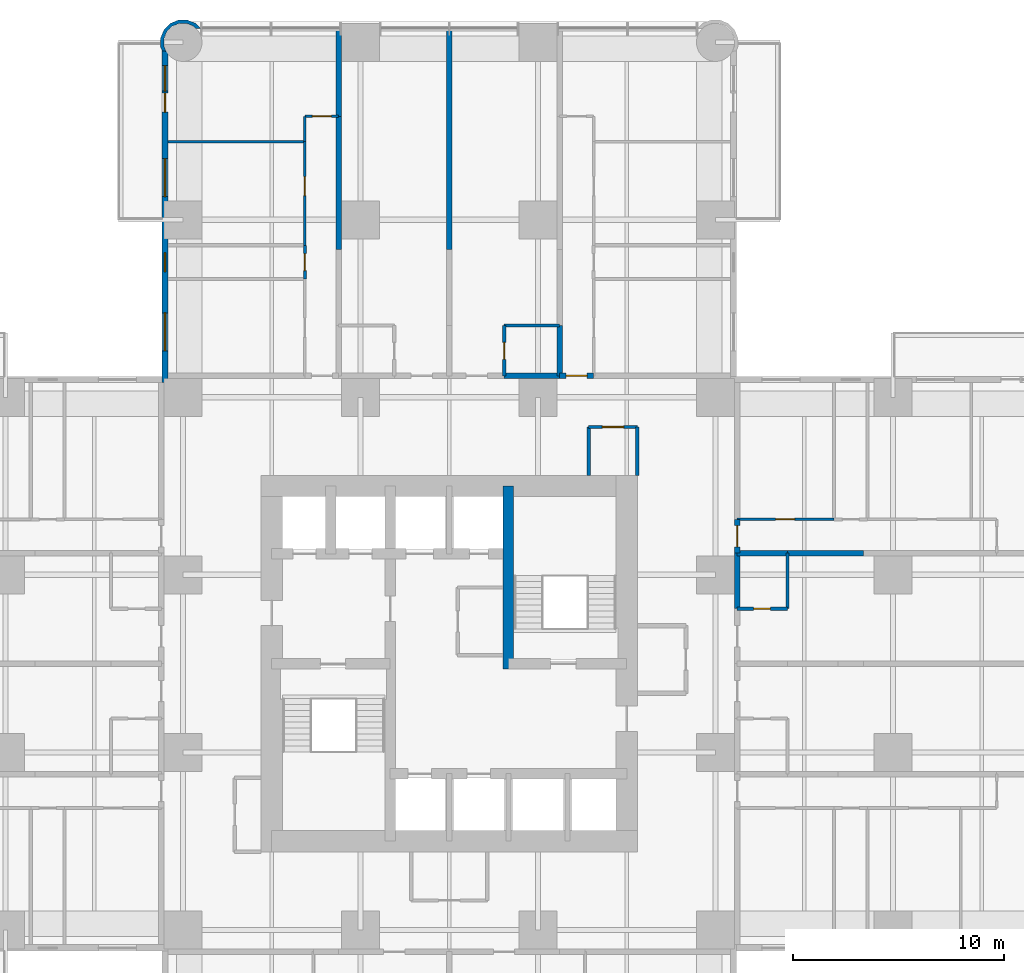
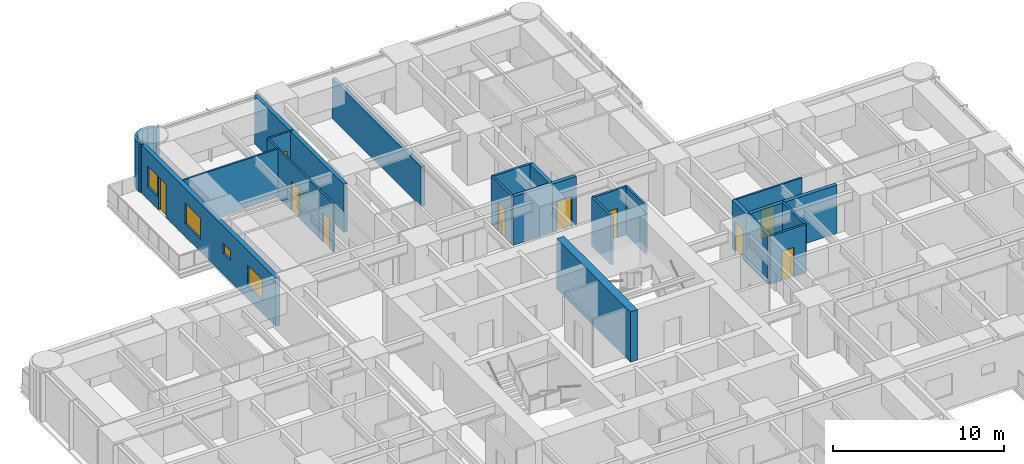
# One storey, part 13 of 17: 26 walls, 10 doors, 4 windows, 14 openings.
"""IFC4 building model written with IfcOpenShell, lengths in metres."""

from ifc_helpers import new_model, si_unit, direction, frame, frame_2d, origin, place, context, subcontext, project, spatial, polyline, rectangle, outline, extrude, material, layer, layer_set, type_object, element, fill, save


model = new_model("IFC4")

# Units and contexts
model_context = context("Model", 3, precision=1e-05, world=origin(), true_north=direction((0.0, 1.0)))
body_context = subcontext(model_context, "Body", "Model", "MODEL_VIEW")
ifc_project = project(units=[si_unit("LENGTHUNIT", "METRE"), si_unit("AREAUNIT", "SQUARE_METRE"), si_unit("VOLUMEUNIT", "CUBIC_METRE"), si_unit("PLANEANGLEUNIT", "RADIAN"), si_unit("MASSUNIT", "GRAM", prefix="KILO")], contexts=[model_context])

# Site, building, storey
site_placement = place(None, origin())
site = spatial("IfcSite", under=ifc_project, at=site_placement, CompositionType="ELEMENT")
building_placement = place(site_placement, origin())
building = spatial("IfcBuilding", under=site, at=building_placement, Name="Torre Alcanfor", CompositionType="ELEMENT")
storey_placement = place(building_placement, frame((0.0, 0.0, 84.89990234375)))
storey = spatial("IfcBuildingStorey", under=building, at=storey_placement, Name="L21", CompositionType="ELEMENT", Elevation=84.89990234375)

# Wall
ifc_material_1 = material(Name="Concrete block masonry, hollow blocks NMX-C-404 9 MPa", Category="masonry")
ifc_layer_1 = layer(ifc_material_1, 0.25)
ifc_layer_set_1 = layer_set([ifc_layer_1], Name="Apartment entrance wall 250 EI 60")
wall_type_1 = type_object("IfcWallType", Name="Apartment entrance wall 250 EI 60", PredefinedType="PARTITIONING", material=ifc_layer_set_1)
wall_1_placement = place(storey_placement, frame((32.0, 43.02490234375, 0.0), z_axis=(0.0, 0.0, 1.0), x_axis=(1.0, 0.0, 0.0)))
element("IfcWall", 1, at=wall_1_placement, inside=storey, type_object=wall_type_1, Name="Partition L21-CORR / L21-N2A-BATH", PredefinedType="PARTITIONING", context=body_context, shape_type="SweptSolid", body=[
    extrude(rectangle(XDim=2.62890625, YDim=0.25, at=frame_2d((1.314453125, 0.0))), origin(), (0.0, 0.0, 1.0), 3.4501953125),
])

# Wall, opening, door
wall_2_placement = place(storey_placement, frame((34.62890625, 43.02490234375, 0.0), z_axis=(0.0, 0.0, 1.0), x_axis=(1.0, 0.0, 0.0)))
wall_2 = element("IfcWall", 2, at=wall_2_placement, inside=storey, type_object=wall_type_1, Name="Partition L21-CORR / L21-N2B-HALL", PredefinedType="PARTITIONING", context=body_context, shape_type="SweptSolid", body=[
    extrude(rectangle(XDim=1.60009765625, YDim=0.25, at=frame_2d((0.800048828125, 0.0))), origin(), (0.0, 0.0, 1.0), 3.4501953125),
])
opening_1_placement = place(wall_2_placement, frame((0.300048828125, 0.0, 0.0)))
opening_1 = element("IfcOpeningElement", 3, at=opening_1_placement, cuts=wall_2, Name="Opening D-A1", PredefinedType="OPENING", context=body_context, shape_type="SweptSolid", body=[
    extrude(rectangle(XDim=1.0, YDim=2.10009765625, at=frame_2d((0.5, 1.050048828125))), frame((0.0, 0.135009765625, 0.0), z_axis=(0.0, -1.0, 0.0), x_axis=(1.0, 0.0, 0.0)), (0.0, 0.0, 1.0), 0.27001953125),
])
ifc_material_2 = material(Name="Galvanised steel sheet ASTM A653", Category="steel")
door_type_1 = type_object("IfcDoorType", Name="Apartment entrance door FD60 1000x2100", OperationType="SINGLE_SWING_LEFT", PredefinedType="DOOR", material=ifc_material_2)
door_1_placement = place(opening_1_placement, origin())
door_1 = element("IfcDoor", 4, at=door_1_placement, inside=storey, type_object=door_type_1, Name="Apartment entrance L21-N2B", OperationType="SINGLE_SWING_LEFT", OverallHeight=2.10009765625, OverallWidth=1.0, PredefinedType="DOOR", context=body_context, shape_type="SweptSolid", body=[
    extrude(rectangle(XDim=1.0, YDim=2.10009765625, at=frame_2d((0.5, 1.050048828125))), frame((0.0, 0.02490234375, 0.0), z_axis=(0.0, -1.0, 0.0), x_axis=(1.0, 0.0, 0.0)), (0.0, 0.0, 1.0), 0.050048828125),
])
fill(opening_1, door_1)

# Wall
wall_3_placement = place(storey_placement, frame((43.02490234375, 34.62890625, 0.0), z_axis=(0.0, 0.0, 1.0), x_axis=(0.0, -1.0, 0.0)))
element("IfcWall", 5, at=wall_3_placement, inside=storey, type_object=wall_type_1, Name="Partition L21-CORR / L21-E1A-BATH", PredefinedType="PARTITIONING", context=body_context, shape_type="SweptSolid", body=[
    extrude(rectangle(XDim=2.62890625, YDim=0.25, at=frame_2d((1.314453125, 0.0))), origin(), (0.0, 0.0, 1.0), 3.4501953125),
])

# Wall, opening, door
wall_4_placement = place(storey_placement, frame((43.02490234375, 36.22900390625, 0.0), z_axis=(0.0, 0.0, 1.0), x_axis=(0.0, -1.0, 0.0)))
wall_4 = element("IfcWall", 6, at=wall_4_placement, inside=storey, type_object=wall_type_1, Name="Partition L21-CORR / L21-E1B-HALL", PredefinedType="PARTITIONING", context=body_context, shape_type="SweptSolid", body=[
    extrude(rectangle(XDim=1.60009765625, YDim=0.25, at=frame_2d((0.800048828125, 0.0))), origin(), (0.0, 0.0, 1.0), 3.4501953125),
])
opening_2_placement = place(wall_4_placement, frame((0.300048828125, 0.0, 0.0)))
opening_2 = element("IfcOpeningElement", 7, at=opening_2_placement, cuts=wall_4, Name="Opening D-A1", PredefinedType="OPENING", context=body_context, shape_type="SweptSolid", body=[
    extrude(rectangle(XDim=1.0, YDim=2.10009765625, at=frame_2d((0.5, 1.050048828125))), frame((0.0, 0.135009765625, 0.0), z_axis=(0.0, -1.0, 0.0), x_axis=(1.0, 0.0, 0.0)), (0.0, 0.0, 1.0), 0.27001953125),
])
door_2_placement = place(opening_2_placement, origin())
door_2 = element("IfcDoor", 8, at=door_2_placement, inside=storey, type_object=door_type_1, Name="Apartment entrance L21-E1B", OperationType="SINGLE_SWING_LEFT", OverallHeight=2.10009765625, OverallWidth=1.0, PredefinedType="DOOR", context=body_context, shape_type="SweptSolid", body=[
    extrude(rectangle(XDim=1.0, YDim=2.10009765625, at=frame_2d((0.5, 1.050048828125))), frame((0.0, 0.02490234375, 0.0), z_axis=(0.0, -1.0, 0.0), x_axis=(1.0, 0.0, 0.0)), (0.0, 0.0, 1.0), 0.050048828125),
])
fill(opening_2, door_2)

ifc_material_3 = material(Name="Gypsum board on steel studs", Category="steel")
ifc_layer_2 = layer(ifc_material_3, 0.1201171875)
ifc_layer_set_2 = layer_set([ifc_layer_2], Name="Apartment partition 120")
wall_type_2 = type_object("IfcWallType", Name="Apartment partition 120", PredefinedType="PARTITIONING", material=ifc_layer_set_2)
wall_5_placement = place(storey_placement, frame((22.571044921875, 54.10009765625, 0.0), z_axis=(0.0, 0.0, 1.0), x_axis=(0.0, -1.0, 0.0)))
wall_5 = element("IfcWall", 9, at=wall_5_placement, inside=storey, type_object=wall_type_2, Name="Partition L21-N1B-HALL / L21-N1B-MASTER", PredefinedType="PARTITIONING", context=body_context, shape_type="SweptSolid", body=[
    extrude(rectangle(XDim=4.900146484375, YDim=0.1201171875, at=frame_2d((2.4501953125, 0.0))), origin(), (0.0, 0.0, 1.0), 3.4501953125),
])
opening_3_placement = place(wall_5_placement, frame((1.64990234375, 0.0, 0.0)))
opening_3 = element("IfcOpeningElement", 10, at=opening_3_placement, cuts=wall_5, Name="Opening D-R1", PredefinedType="OPENING", context=body_context, shape_type="SweptSolid", body=[
    extrude(rectangle(XDim=0.89990234375, YDim=2.10009765625, at=frame_2d((0.449951171875, 1.050048828125))), frame((0.0, 0.070068359375, 0.0), z_axis=(0.0, -1.0, 0.0), x_axis=(1.0, 0.0, 0.0)), (0.0, 0.0, 1.0), 0.14013671875),
])
ifc_material_4 = material(Name="Timber", Category="wood")
door_type_2 = type_object("IfcDoorType", Name="Internal door 900x2100", OperationType="SINGLE_SWING_LEFT", PredefinedType="DOOR", material=ifc_material_4)
door_3_placement = place(opening_3_placement, frame((0.89990234375, 0.0, 0.0), z_axis=(0.0, 0.0, 1.0), x_axis=(-1.0, 0.0, 0.0)))
door_3 = element("IfcDoor", 11, at=door_3_placement, inside=storey, type_object=door_type_2, Name="Door L21-N1B master", OperationType="SINGLE_SWING_RIGHT", OverallHeight=2.10009765625, OverallWidth=0.89990234375, PredefinedType="DOOR", context=body_context, shape_type="SweptSolid", body=[
    extrude(rectangle(XDim=0.89990234375, YDim=2.10009765625, at=frame_2d((0.449951171875, 1.050048828125))), frame((0.0, 0.025146484375, 0.0), z_axis=(0.0, -1.0, 0.0), x_axis=(1.0, 0.0, 0.0)), (0.0, 0.0, 1.0), 0.050048828125),
])
fill(opening_3, door_3)

# Wall
wall_6_placement = place(storey_placement, frame((22.571044921875, 55.300048828125, 0.0), z_axis=(0.0, 0.0, 1.0), x_axis=(0.0, -1.0, 0.0)))
element("IfcWall", 12, at=wall_6_placement, inside=storey, type_object=wall_type_2, Name="Partition L21-N1B-HALL / L21-N1B-KITCHEN", PredefinedType="PARTITIONING", context=body_context, shape_type="SweptSolid", body=[
    extrude(rectangle(XDim=1.199951171875, YDim=0.1201171875, at=frame_2d((0.60009765625, 0.0))), origin(), (0.0, 0.0, 1.0), 3.4501953125),
])

# Wall, opening, door
wall_7_placement = place(storey_placement, frame((24.1708984375, 55.300048828125, 0.0), z_axis=(0.0, 0.0, 1.0), x_axis=(-1.0, 0.0, 0.0)))
wall_7 = element("IfcWall", 13, at=wall_7_placement, inside=storey, type_object=wall_type_2, Name="Partition L21-N1B-HALL / L21-N1B-LIVING", PredefinedType="PARTITIONING", context=body_context, shape_type="SweptSolid", body=[
    extrude(rectangle(XDim=1.599853515625, YDim=0.1201171875, at=frame_2d((0.7998046875, 0.0))), origin(), (0.0, 0.0, 1.0), 3.4501953125),
])
opening_4_placement = place(wall_7_placement, frame((0.35009765625, 0.0, 0.0)))
opening_4 = element("IfcOpeningElement", 14, at=opening_4_placement, cuts=wall_7, Name="Opening D-R1", PredefinedType="OPENING", context=body_context, shape_type="SweptSolid", body=[
    extrude(rectangle(XDim=0.89990234375, YDim=2.10009765625, at=frame_2d((0.449951171875, 1.050048828125))), frame((0.0, 0.070068359375, 0.0), z_axis=(0.0, -1.0, 0.0), x_axis=(1.0, 0.0, 0.0)), (0.0, 0.0, 1.0), 0.14013671875),
])
door_4_placement = place(opening_4_placement, frame((0.89990234375, 0.0, 0.0), z_axis=(0.0, 0.0, 1.0), x_axis=(-1.0, 0.0, 0.0)))
door_4 = element("IfcDoor", 15, at=door_4_placement, inside=storey, type_object=door_type_2, Name="Door L21-N1B living", OperationType="SINGLE_SWING_RIGHT", OverallHeight=2.10009765625, OverallWidth=0.89990234375, PredefinedType="DOOR", context=body_context, shape_type="SweptSolid", body=[
    extrude(rectangle(XDim=0.89990234375, YDim=2.10009765625, at=frame_2d((0.449951171875, 1.050048828125))), frame((0.0, 0.025146484375, 0.0), z_axis=(0.0, -1.0, 0.0), x_axis=(1.0, 0.0, 0.0)), (0.0, 0.0, 1.0), 0.050048828125),
])
fill(opening_4, door_4)

# Wall
wall_8_placement = place(storey_placement, frame((22.571044921875, 54.10009765625, 0.0), z_axis=(0.0, 0.0, 1.0), x_axis=(-1.0, 0.0, 0.0)))
element("IfcWall", 16, at=wall_8_placement, inside=storey, type_object=wall_type_2, Name="Partition L21-N1B-MASTER / L21-N1B-KITCHEN", PredefinedType="PARTITIONING", context=body_context, shape_type="SweptSolid", body=[
    extrude(rectangle(XDim=6.470947265625, YDim=0.1201171875, at=frame_2d((3.2353515625, 0.0))), origin(), (0.0, 0.0, 1.0), 3.4501953125),
])

# Wall, opening, door
wall_9_placement = place(storey_placement, frame((47.60009765625, 36.22900390625, 0.0), z_axis=(0.0, 0.0, 1.0), x_axis=(-1.0, 0.0, 0.0)))
wall_9 = element("IfcWall", 17, at=wall_9_placement, inside=storey, type_object=wall_type_2, Name="Partition L21-E1B-HALL / L21-E1B-BED2", PredefinedType="PARTITIONING", context=body_context, shape_type="SweptSolid", body=[
    extrude(rectangle(XDim=4.5751953125, YDim=0.1201171875, at=frame_2d((2.28759765625, 0.0))), origin(), (0.0, 0.0, 1.0), 3.4501953125),
])
opening_5_placement = place(wall_9_placement, frame((1.85009765625, 0.0, 0.0)))
opening_5 = element("IfcOpeningElement", 18, at=opening_5_placement, cuts=wall_9, Name="Opening D-R1", PredefinedType="OPENING", context=body_context, shape_type="SweptSolid", body=[
    extrude(rectangle(XDim=0.89990234375, YDim=2.10009765625, at=frame_2d((0.449951171875, 1.050048828125))), frame((0.0, 0.070068359375, 0.0), z_axis=(0.0, -1.0, 0.0), x_axis=(1.0, 0.0, 0.0)), (0.0, 0.0, 1.0), 0.14013671875),
])
door_5_placement = place(opening_5_placement, frame((0.89990234375, 0.0, 0.0), z_axis=(0.0, 0.0, 1.0), x_axis=(-1.0, 0.0, 0.0)))
door_5 = element("IfcDoor", 19, at=door_5_placement, inside=storey, type_object=door_type_2, Name="Door L21-E1B bed2", OperationType="SINGLE_SWING_LEFT", OverallHeight=2.10009765625, OverallWidth=0.89990234375, PredefinedType="DOOR", context=body_context, shape_type="SweptSolid", body=[
    extrude(rectangle(XDim=0.89990234375, YDim=2.10009765625, at=frame_2d((0.449951171875, 1.050048828125))), frame((0.0, 0.025146484375, 0.0), z_axis=(0.0, -1.0, 0.0), x_axis=(1.0, 0.0, 0.0)), (0.0, 0.0, 1.0), 0.050048828125),
])
fill(opening_5, door_5)

# Wall
ifc_material_5 = material(Name="Concrete f'c 70 MPa", Category="concrete")
ifc_layer_3 = layer(ifc_material_5, 0.5)
ifc_layer_set_3 = layer_set([ifc_layer_3], Name="Core inner wall 500 f'c70")
wall_type_3 = type_object("IfcWallType", Name="Core inner wall 500 f'c70", PredefinedType="SHEAR", material=ifc_layer_set_3)
wall_10_placement = place(storey_placement, frame((32.199951171875, 29.14990234375, 0.0), z_axis=(0.0, 0.0, 1.0), x_axis=(0.0, 1.0, 0.0)))
element("IfcWall", 20, at=wall_10_placement, inside=storey, type_object=wall_type_3, Name="Core wall X322N L21", PredefinedType="SHEAR", context=body_context, shape_type="SweptSolid", body=[
    extrude(rectangle(XDim=8.650146484375, YDim=0.5, at=frame_2d((4.3251953125, 0.0))), origin(), (0.0, 0.0, 1.0), 3.60009765625),
])

# Wall, openings, door, windows
ifc_material_6 = material(Name="Limestone cladding", Category="masonry")
ifc_layer_4 = layer(ifc_material_6, 0.0400390625, Name="Facing")
ifc_material_7 = material(Name="Ventilated air cavity")
ifc_layer_5 = layer(ifc_material_7, 0.02001953125, ventilated=True, Name="Ventilated joint")
ifc_material_8 = material(Name="Mineral wool insulation", Category="insulation")
ifc_layer_6 = layer(ifc_material_8, 0.10009765625, Name="Insulation")
ifc_material_9 = material(Name="Concrete f'c 35 MPa", Category="concrete")
ifc_layer_7 = layer(ifc_material_9, 0.139892578125, Name="Backing")
ifc_layer_set_4 = layer_set([ifc_layer_4, ifc_layer_5, ifc_layer_6, ifc_layer_7], Name="External wall stone-clad 300")
wall_type_4 = type_object("IfcWallType", Name="External wall stone-clad 300", PredefinedType="SOLIDWALL", material=ifc_layer_set_4)
wall_11_placement = place(storey_placement, frame((15.949951171875, 58.39990234375, 0.0), z_axis=(0.0, 0.0, 1.0), x_axis=(0.0, -1.0, 0.0)))
wall_11 = element("IfcWall", 21, at=wall_11_placement, inside=storey, type_object=wall_type_4, Name="External wall L21 12", PredefinedType="SOLIDWALL", context=body_context, shape_type="SweptSolid", body=[
    extrude(rectangle(XDim=15.699951171875, YDim=0.300048828125, at=frame_2d((7.85009765625, 0.0))), origin(), (0.0, 0.0, 1.0), 3.4501953125),
])
opening_6_placement = place(wall_11_placement, frame((12.39990234375, 0.0, 0.89990234375)))
opening_6 = element("IfcOpeningElement", 22, at=opening_6_placement, cuts=wall_11, Name="Opening W2", PredefinedType="OPENING", context=body_context, shape_type="SweptSolid", body=[
    extrude(rectangle(XDim=1.800048828125, YDim=1.5, at=frame_2d((0.89990234375, 0.75))), frame((0.0, 0.159912109375, 0.0), z_axis=(0.0, -1.0, 0.0), x_axis=(1.0, 0.0, 0.0)), (0.0, 0.0, 1.0), 0.320068359375),
])
opening_7_placement = place(wall_11_placement, frame((9.550048828125, 0.0, 1.5)))
opening_7 = element("IfcOpeningElement", 23, at=opening_7_placement, cuts=wall_11, Name="Opening W3", PredefinedType="OPENING", context=body_context, shape_type="SweptSolid", body=[
    extrude(rectangle(XDim=0.89990234375, YDim=0.699951171875, at=frame_2d((0.449951171875, 0.35009765625))), frame((0.0, 0.159912109375, 0.0), z_axis=(0.0, -1.0, 0.0), x_axis=(1.0, 0.0, 0.0)), (0.0, 0.0, 1.0), 0.320068359375),
])
opening_8_placement = place(wall_11_placement, frame((5.10009765625, 0.0, 0.89990234375)))
opening_8 = element("IfcOpeningElement", 24, at=opening_8_placement, cuts=wall_11, Name="Opening W2", PredefinedType="OPENING", context=body_context, shape_type="SweptSolid", body=[
    extrude(rectangle(XDim=1.800048828125, YDim=1.5, at=frame_2d((0.89990234375, 0.75))), frame((0.0, 0.159912109375, 0.0), z_axis=(0.0, -1.0, 0.0), x_axis=(1.0, 0.0, 0.0)), (0.0, 0.0, 1.0), 0.320068359375),
])
opening_9_placement = place(wall_11_placement, frame((2.0, 0.0, 0.0)))
opening_9 = element("IfcOpeningElement", 25, at=opening_9_placement, cuts=wall_11, Name="Opening D-B1", PredefinedType="OPENING", context=body_context, shape_type="SweptSolid", body=[
    extrude(rectangle(XDim=0.89990234375, YDim=2.39990234375, at=frame_2d((0.449951171875, 1.199951171875))), frame((0.0, 0.159912109375, 0.0), z_axis=(0.0, -1.0, 0.0), x_axis=(1.0, 0.0, 0.0)), (0.0, 0.0, 1.0), 0.320068359375),
])
opening_10_placement = place(wall_11_placement, frame((0.699951171875, 0.0, 0.89990234375)))
opening_10 = element("IfcOpeningElement", 26, at=opening_10_placement, cuts=wall_11, Name="Opening W4", PredefinedType="OPENING", context=body_context, shape_type="SweptSolid", body=[
    extrude(rectangle(XDim=1.199951171875, YDim=1.5, at=frame_2d((0.60009765625, 0.75))), frame((0.0, 0.159912109375, 0.0), z_axis=(0.0, -1.0, 0.0), x_axis=(1.0, 0.0, 0.0)), (0.0, 0.0, 1.0), 0.320068359375),
])
ifc_material_10 = material(Name="Aluminium and glass", Category="aluminium")
door_type_3 = type_object("IfcDoorType", Name="Balcony door glazed 900x2400", OperationType="SINGLE_SWING_LEFT", PredefinedType="DOOR", material=ifc_material_10)
door_6_placement = place(opening_9_placement, origin())
door_6 = element("IfcDoor", 27, at=door_6_placement, inside=storey, type_object=door_type_3, Name="Balcony door L21-N1", OperationType="SINGLE_SWING_RIGHT", OverallHeight=2.39990234375, OverallWidth=0.89990234375, PredefinedType="DOOR", context=body_context, shape_type="SweptSolid", body=[
    extrude(rectangle(XDim=0.89990234375, YDim=2.39990234375, at=frame_2d((0.449951171875, 1.199951171875))), frame((0.0, 0.02490234375, 0.0), z_axis=(0.0, -1.0, 0.0), x_axis=(1.0, 0.0, 0.0)), (0.0, 0.0, 1.0), 0.050048828125),
])
fill(opening_9, door_6)
ifc_material_11 = material(Name="Aluminium frame with clear double glazing", Category="aluminium")
window_type_1 = type_object("IfcWindowType", Name="Window bathroom 900x700", PartitioningType="SINGLE_PANEL", PredefinedType="WINDOW", material=ifc_material_11)
window_1_placement = place(opening_7_placement, origin())
window_1 = element("IfcWindow", 28, at=window_1_placement, inside=storey, type_object=window_type_1, Name="Window W3 L21-N1", OverallHeight=0.699951171875, OverallWidth=0.89990234375, PartitioningType="SINGLE_PANEL", PredefinedType="WINDOW", context=body_context, shape_type="SweptSolid", body=[
    extrude(rectangle(XDim=0.89990234375, YDim=0.699951171875, at=frame_2d((0.449951171875, 0.35009765625))), frame((0.0, 0.030029296875, 0.0), z_axis=(0.0, -1.0, 0.0), x_axis=(1.0, 0.0, 0.0)), (0.0, 0.0, 1.0), 0.06005859375),
])
fill(opening_7, window_1)
ifc_material_12 = material(Name="Aluminium frame with clear double glazing", Category="aluminium")
window_type_2 = type_object("IfcWindowType", Name="Window bedroom 1200x1500", PartitioningType="SINGLE_PANEL", PredefinedType="WINDOW", material=ifc_material_12)
window_2_placement = place(opening_10_placement, origin())
window_2 = element("IfcWindow", 29, at=window_2_placement, inside=storey, type_object=window_type_2, Name="Window W4 L21-N1", OverallHeight=1.5, OverallWidth=1.199951171875, PartitioningType="SINGLE_PANEL", PredefinedType="WINDOW", context=body_context, shape_type="SweptSolid", body=[
    extrude(rectangle(XDim=1.199951171875, YDim=1.5, at=frame_2d((0.60009765625, 0.75))), frame((0.0, 0.030029296875, 0.0), z_axis=(0.0, -1.0, 0.0), x_axis=(1.0, 0.0, 0.0)), (0.0, 0.0, 1.0), 0.06005859375),
])
fill(opening_10, window_2)
ifc_material_13 = material(Name="Aluminium frame with clear double glazing", Category="aluminium")
window_type_3 = type_object("IfcWindowType", Name="Window bedroom 1800x1500", PartitioningType="SINGLE_PANEL", PredefinedType="WINDOW", material=ifc_material_13)
window_3_placement = place(opening_6_placement, origin())
window_3 = element("IfcWindow", 30, at=window_3_placement, inside=storey, type_object=window_type_3, Name="Window W2 L21-N1", OverallHeight=1.5, OverallWidth=1.800048828125, PartitioningType="SINGLE_PANEL", PredefinedType="WINDOW", context=body_context, shape_type="SweptSolid", body=[
    extrude(rectangle(XDim=1.800048828125, YDim=1.5, at=frame_2d((0.89990234375, 0.75))), frame((0.0, 0.030029296875, 0.0), z_axis=(0.0, -1.0, 0.0), x_axis=(1.0, 0.0, 0.0)), (0.0, 0.0, 1.0), 0.06005859375),
])
fill(opening_6, window_3)
window_4_placement = place(opening_8_placement, origin())
window_4 = element("IfcWindow", 31, at=window_4_placement, inside=storey, type_object=window_type_3, Name="Window W2 L21-N1", OverallHeight=1.5, OverallWidth=1.800048828125, PartitioningType="SINGLE_PANEL", PredefinedType="WINDOW", context=body_context, shape_type="SweptSolid", body=[
    extrude(rectangle(XDim=1.800048828125, YDim=1.5, at=frame_2d((0.89990234375, 0.75))), frame((0.0, 0.030029296875, 0.0), z_axis=(0.0, -1.0, 0.0), x_axis=(1.0, 0.0, 0.0)), (0.0, 0.0, 1.0), 0.06005859375),
])
fill(opening_8, window_4)

# Walls
ifc_material_14 = material(Name="Concrete block masonry, hollow blocks NMX-C-404 9 MPa", Category="masonry")
ifc_layer_8 = layer(ifc_material_14, 0.25)
ifc_layer_set_5 = layer_set([ifc_layer_8], Name="Party wall 250 EI 60")
wall_type_5 = type_object("IfcWallType", Name="Party wall 250 EI 60", PredefinedType="PARTITIONING", material=ifc_layer_set_5)
wall_12_placement = place(storey_placement, frame((24.1708984375, 55.300048828125, 0.0), z_axis=(0.0, 0.0, 1.0), x_axis=(0.0, -1.0, 0.0)))
element("IfcWall", 32, at=wall_12_placement, inside=storey, type_object=wall_type_5, Name="Partition L21-N1A-STUDIO / L21-N1B-HALL", PredefinedType="PARTITIONING", context=body_context, shape_type="SweptSolid", body=[
    extrude(rectangle(XDim=6.300048828125, YDim=0.25, at=frame_2d((3.14990234375, 0.0))), origin(), (0.0, 0.0, 1.0), 3.4501953125),
])
wall_13_placement = place(storey_placement, frame((24.1708984375, 59.449951171875, 0.0), z_axis=(0.0, 0.0, 1.0), x_axis=(0.0, -1.0, 0.0)))
element("IfcWall", 33, at=wall_13_placement, inside=storey, type_object=wall_type_5, Name="Partition L21-N1A-STUDIO / L21-N1B-LIVING", PredefinedType="PARTITIONING", context=body_context, shape_type="SweptSolid", body=[
    extrude(rectangle(XDim=4.14990234375, YDim=0.25, at=frame_2d((2.074951171875, 0.0))), origin(), (0.0, 0.0, 1.0), 3.4501953125),
])
wall_14_placement = place(storey_placement, frame((29.39990234375, 49.0, 0.0), z_axis=(0.0, 0.0, 1.0), x_axis=(0.0, 1.0, 0.0)))
element("IfcWall", 34, at=wall_14_placement, inside=storey, type_object=wall_type_5, Name="Partition L21-N1A-STUDIO / L21-N2A-STUDIO", PredefinedType="PARTITIONING", context=body_context, shape_type="SweptSolid", body=[
    extrude(rectangle(XDim=10.449951171875, YDim=0.25, at=frame_2d((5.22509765625, 0.0))), origin(), (0.0, 0.0, 1.0), 2.84814453125),
])
for number, where, z_axis, x_axis, name in (
    (35, (34.62890625, 45.39990234375, 0.0), (0.0, 0.0, 1.0), (0.0, -1.0, 0.0), "Partition L21-N2A-BATH / L21-N2B-HALL"),
    (36, (45.39990234375, 34.62890625, 0.0), (0.0, 0.0, 1.0), (-1.0, 0.0, 0.0), "Partition L21-E1A-BATH / L21-E1B-HALL"),
):
    element("IfcWall", number, at=place(storey_placement, frame(where, z_axis=z_axis, x_axis=x_axis)), inside=storey, type_object=wall_type_5, Name=name, PredefinedType="PARTITIONING", context=body_context, shape_type="SweptSolid", body=[
        extrude(rectangle(XDim=2.375, YDim=0.25, at=frame_2d((1.1875, 0.0))), origin(), (0.0, 0.0, 1.0), 3.4501953125),
    ])
wall_15_placement = place(storey_placement, frame((49.0, 34.62890625, 0.0), z_axis=(0.0, 0.0, 1.0), x_axis=(-1.0, 0.0, 0.0)))
element("IfcWall", 37, at=wall_15_placement, inside=storey, type_object=wall_type_5, Name="Partition L21-E1A-KITCHEN / L21-E1B-HALL", PredefinedType="PARTITIONING", context=body_context, shape_type="SweptSolid", body=[
    extrude(rectangle(XDim=3.60009765625, YDim=0.25, at=frame_2d((1.800048828125, 0.0))), origin(), (0.0, 0.0, 1.0), 3.4501953125),
])
ifc_material_15 = material(Name="Concrete block masonry, hollow blocks NMX-C-404 9 MPa", Category="masonry")
ifc_layer_9 = layer(ifc_material_15, 0.14990234375)
ifc_layer_set_6 = layer_set([ifc_layer_9], Name="Residents' room partition 150")
wall_type_6 = type_object("IfcWallType", Name="Residents' room partition 150", PredefinedType="PARTITIONING", material=ifc_layer_set_6)
wall_16_placement = place(storey_placement, frame((38.300048828125, 38.300048828125, 0.0), z_axis=(0.0, 0.0, 1.0), x_axis=(0.0, 1.0, 0.0)))
element("IfcWall", 38, at=wall_16_placement, inside=storey, type_object=wall_type_6, Name="Partition L21-CORR / L21-G01", PredefinedType="PARTITIONING", context=body_context, shape_type="SweptSolid", body=[
    extrude(rectangle(XDim=2.300048828125, YDim=0.14990234375, at=frame_2d((1.14990234375, 0.0))), origin(), (0.0, 0.0, 1.0), 3.4501953125),
])

# Wall, opening, door
wall_17_placement = place(storey_placement, frame((38.300048828125, 40.60009765625, 0.0), z_axis=(0.0, 0.0, 1.0), x_axis=(-1.0, 0.0, 0.0)))
wall_17 = element("IfcWall", 39, at=wall_17_placement, inside=storey, type_object=wall_type_6, Name="Partition L21-CORR / L21-G01", PredefinedType="PARTITIONING", context=body_context, shape_type="SweptSolid", body=[
    extrude(rectangle(XDim=2.300048828125, YDim=0.14990234375, at=frame_2d((1.14990234375, 0.0))), origin(), (0.0, 0.0, 1.0), 3.4501953125),
])
opening_11_placement = place(wall_17_placement, frame((0.64990234375, 0.0, 0.0)))
opening_11 = element("IfcOpeningElement", 40, at=opening_11_placement, cuts=wall_17, Name="Opening D-M1", PredefinedType="OPENING", context=body_context, shape_type="SweptSolid", body=[
    extrude(rectangle(XDim=1.0, YDim=2.10009765625, at=frame_2d((0.5, 1.050048828125))), frame((0.0, 0.0849609375, 0.0), z_axis=(0.0, -1.0, 0.0), x_axis=(1.0, 0.0, 0.0)), (0.0, 0.0, 1.0), 0.169921875),
])
ifc_material_16 = material(Name="Timber", Category="wood")
door_type_4 = type_object("IfcDoorType", Name="Residents' room door 1000x2100", OperationType="SINGLE_SWING_LEFT", PredefinedType="DOOR", material=ifc_material_16)
door_7_placement = place(opening_11_placement, origin())
door_7 = element("IfcDoor", 41, at=door_7_placement, inside=storey, type_object=door_type_4, Name="Door L21-G01 residents' storage lockers", OperationType="SINGLE_SWING_LEFT", OverallHeight=2.10009765625, OverallWidth=1.0, PredefinedType="DOOR", context=body_context, shape_type="SweptSolid", body=[
    extrude(rectangle(XDim=1.0, YDim=2.10009765625, at=frame_2d((0.5, 1.050048828125))), frame((0.0, 0.02490234375, 0.0), z_axis=(0.0, -1.0, 0.0), x_axis=(1.0, 0.0, 0.0)), (0.0, 0.0, 1.0), 0.050048828125),
])
fill(opening_11, door_7)

# Walls
wall_18_placement = place(storey_placement, frame((36.0, 40.60009765625, 0.0), z_axis=(0.0, 0.0, 1.0), x_axis=(0.0, -1.0, 0.0)))
element("IfcWall", 42, at=wall_18_placement, inside=storey, type_object=wall_type_6, Name="Partition L21-CORR / L21-G01", PredefinedType="PARTITIONING", context=body_context, shape_type="SweptSolid", body=[
    extrude(rectangle(XDim=2.300048828125, YDim=0.14990234375, at=frame_2d((1.14990234375, 0.0))), origin(), (0.0, 0.0, 1.0), 3.4501953125),
])
ifc_layer_10 = layer(ifc_material_6, 0.0400390625, Name="Facing")
ifc_layer_11 = layer(ifc_material_7, 0.02001953125, ventilated=True, Name="Ventilated joint")
ifc_layer_12 = layer(ifc_material_8, 0.10009765625, Name="Insulation")
ifc_layer_13 = layer(ifc_material_9, 0.139892578125, Name="Backing")
ifc_layer_set_7 = layer_set([ifc_layer_10, ifc_layer_11, ifc_layer_12, ifc_layer_13], Name="Rounded corner pier stone-clad 300")
wall_type_7 = type_object("IfcWallType", Name="Rounded corner pier stone-clad 300", PredefinedType="SOLIDWALL", material=ifc_layer_set_7)
wall_19_placement = place(storey_placement, frame((17.56659392, 59.410519256, 0.0), z_axis=(0.0, 0.0, 1.0), x_axis=(-0.377204953059, 0.926129809145, 0.0)))
element("IfcWall", 43, at=wall_19_placement, inside=storey, type_object=wall_type_7, Name="Corner pier L21 20", PredefinedType="SOLIDWALL", context=body_context, shape_type="SweptSolid", body=[
    extrude(outline(polyline([(-0.2696128896034876, 2.017259773730947), (-0.3700074466497617, 1.8406682313445892), (-0.10228391712117135, 1.84234447704578), (0.22963955939869596, 1.7071548112521016), (0.48448400216769655, 1.4552078217286728), (0.623591424193435, 1.1249193736895309), (0.6256953869469392, 0.7663384814459974), (0.4905057211532608, 0.43441500492612994), (0.23855873162983204, 0.17957056215712927), (0.0901868556189969, 0.11689353267829827), (0.010896458992050665, -0.07778365620699182), (0.024462813618203284, -0.08330911938656994), (0.3293875956360306, 0.04530321995417183), (0.4799529344667901, 0.19750641360159463), (0.4990544088845829, 0.19262629437695172), (0.507600976756774, 0.22526044306054033), (0.6260470289213595, 0.34520397592848606), (0.7850882774402169, 0.7356888832512456), (0.7822913942554518, 1.1572920874778148), (0.618751344370654, 1.5460366857348715), (0.3187584973433468, 1.8424700131097647), (-0.07172640997941271, 2.0015112616286217), (-0.24006791291721008, 2.0004813020300714), (-0.2696128896034876, 2.017259773730947)])), origin(), (0.0, 0.0, 1.0), 3.4501953125),
])

# Wall, opening, door
ifc_material_17 = material(Name="Cement board on steel studs", Category="steel")
ifc_layer_14 = layer(ifc_material_17, 0.14990234375)
ifc_layer_set_8 = layer_set([ifc_layer_14], Name="Wet area partition 150")
wall_type_8 = type_object("IfcWallType", Name="Wet area partition 150", PredefinedType="PARTITIONING", material=ifc_layer_set_8)
wall_20_placement = place(storey_placement, frame((22.571044921875, 49.199951171875, 0.0), z_axis=(0.0, 0.0, 1.0), x_axis=(0.0, -1.0, 0.0)))
wall_20 = element("IfcWall", 44, at=wall_20_placement, inside=storey, type_object=wall_type_8, Name="Partition L21-N1B-HALL / L21-N1B-BATH", PredefinedType="PARTITIONING", context=body_context, shape_type="SweptSolid", body=[
    extrude(rectangle(XDim=1.599853515625, YDim=0.14990234375, at=frame_2d((0.7998046875, 0.0))), origin(), (0.0, 0.0, 1.0), 3.4501953125),
])
opening_12_placement = place(wall_20_placement, frame((0.39990234375, 0.0, 0.0)))
opening_12 = element("IfcOpeningElement", 45, at=opening_12_placement, cuts=wall_20, Name="Opening D-R2", PredefinedType="OPENING", context=body_context, shape_type="SweptSolid", body=[
    extrude(rectangle(XDim=0.800048828125, YDim=2.10009765625, at=frame_2d((0.39990234375, 1.050048828125))), frame((0.0, 0.0849609375, 0.0), z_axis=(0.0, -1.0, 0.0), x_axis=(1.0, 0.0, 0.0)), (0.0, 0.0, 1.0), 0.169921875),
])
ifc_material_18 = material(Name="Timber", Category="wood")
door_type_5 = type_object("IfcDoorType", Name="Bathroom door 800x2100", OperationType="SINGLE_SWING_LEFT", PredefinedType="DOOR", material=ifc_material_18)
door_8_placement = place(opening_12_placement, frame((0.800048828125, 0.0, 0.0), z_axis=(0.0, 0.0, 1.0), x_axis=(-1.0, 0.0, 0.0)))
door_8 = element("IfcDoor", 46, at=door_8_placement, inside=storey, type_object=door_type_5, Name="Door L21-N1B bath", OperationType="SINGLE_SWING_RIGHT", OverallHeight=2.10009765625, OverallWidth=0.800048828125, PredefinedType="DOOR", context=body_context, shape_type="SweptSolid", body=[
    extrude(rectangle(XDim=0.800048828125, YDim=2.10009765625, at=frame_2d((0.400146484375, 1.050048828125))), frame((0.0, 0.025146484375, 0.0), z_axis=(0.0, -1.0, 0.0), x_axis=(1.0, 0.0, 0.0)), (0.0, 0.0, 1.0), 0.050048828125),
])
fill(opening_12, door_8)

wall_21_placement = place(storey_placement, frame((32.0, 45.39990234375, 0.0), z_axis=(0.0, 0.0, 1.0), x_axis=(0.0, -1.0, 0.0)))
wall_21 = element("IfcWall", 47, at=wall_21_placement, inside=storey, type_object=wall_type_8, Name="Partition L21-N2A-FOYER / L21-N2A-BATH", PredefinedType="PARTITIONING", context=body_context, shape_type="SweptSolid", body=[
    extrude(rectangle(XDim=2.375, YDim=0.14990234375, at=frame_2d((1.1875, 0.0))), origin(), (0.0, 0.0, 1.0), 3.4501953125),
])
opening_13_placement = place(wall_21_placement, frame((0.800048828125, 0.0, 0.0)))
opening_13 = element("IfcOpeningElement", 48, at=opening_13_placement, cuts=wall_21, Name="Opening D-R2", PredefinedType="OPENING", context=body_context, shape_type="SweptSolid", body=[
    extrude(rectangle(XDim=0.800048828125, YDim=2.10009765625, at=frame_2d((0.39990234375, 1.050048828125))), frame((0.0, 0.0849609375, 0.0), z_axis=(0.0, -1.0, 0.0), x_axis=(1.0, 0.0, 0.0)), (0.0, 0.0, 1.0), 0.169921875),
])
door_9_placement = place(opening_13_placement, origin())
door_9 = element("IfcDoor", 49, at=door_9_placement, inside=storey, type_object=door_type_5, Name="Door L21-N2A bath", OperationType="SINGLE_SWING_RIGHT", OverallHeight=2.10009765625, OverallWidth=0.800048828125, PredefinedType="DOOR", context=body_context, shape_type="SweptSolid", body=[
    extrude(rectangle(XDim=0.800048828125, YDim=2.10009765625, at=frame_2d((0.39990234375, 1.050048828125))), frame((0.0, 0.02490234375, 0.0), z_axis=(0.0, -1.0, 0.0), x_axis=(1.0, 0.0, 0.0)), (0.0, 0.0, 1.0), 0.050048828125),
])
fill(opening_13, door_9)

# Wall
wall_22_placement = place(storey_placement, frame((32.0, 45.39990234375, 0.0), z_axis=(0.0, 0.0, 1.0), x_axis=(1.0, 0.0, 0.0)))
element("IfcWall", 50, at=wall_22_placement, inside=storey, type_object=wall_type_8, Name="Partition L21-N2A-BATH / L21-N2A-KITCHEN", PredefinedType="PARTITIONING", context=body_context, shape_type="SweptSolid", body=[
    extrude(rectangle(XDim=2.62890625, YDim=0.14990234375, at=frame_2d((1.314453125, 0.0))), origin(), (0.0, 0.0, 1.0), 3.4501953125),
])

# Wall, opening, door
wall_23_placement = place(storey_placement, frame((45.39990234375, 32.0, 0.0), z_axis=(0.0, 0.0, 1.0), x_axis=(-1.0, 0.0, 0.0)))
wall_23 = element("IfcWall", 51, at=wall_23_placement, inside=storey, type_object=wall_type_8, Name="Partition L21-E1A-FOYER / L21-E1A-BATH", PredefinedType="PARTITIONING", context=body_context, shape_type="SweptSolid", body=[
    extrude(rectangle(XDim=2.375, YDim=0.14990234375, at=frame_2d((1.1875, 0.0))), origin(), (0.0, 0.0, 1.0), 3.4501953125),
])
opening_14_placement = place(wall_23_placement, frame((0.800048828125, 0.0, 0.0)))
opening_14 = element("IfcOpeningElement", 52, at=opening_14_placement, cuts=wall_23, Name="Opening D-R2", PredefinedType="OPENING", context=body_context, shape_type="SweptSolid", body=[
    extrude(rectangle(XDim=0.800048828125, YDim=2.10009765625, at=frame_2d((0.39990234375, 1.050048828125))), frame((0.0, 0.0849609375, 0.0), z_axis=(0.0, -1.0, 0.0), x_axis=(1.0, 0.0, 0.0)), (0.0, 0.0, 1.0), 0.169921875),
])
door_10_placement = place(opening_14_placement, frame((0.800048828125, 0.0, 0.0), z_axis=(0.0, 0.0, 1.0), x_axis=(-1.0, 0.0, 0.0)))
door_10 = element("IfcDoor", 53, at=door_10_placement, inside=storey, type_object=door_type_5, Name="Door L21-E1A bath", OperationType="SINGLE_SWING_LEFT", OverallHeight=2.10009765625, OverallWidth=0.800048828125, PredefinedType="DOOR", context=body_context, shape_type="SweptSolid", body=[
    extrude(rectangle(XDim=0.800048828125, YDim=2.10009765625, at=frame_2d((0.400146484375, 1.050048828125))), frame((0.0, 0.025146484375, 0.0), z_axis=(0.0, -1.0, 0.0), x_axis=(1.0, 0.0, 0.0)), (0.0, 0.0, 1.0), 0.050048828125),
])
fill(opening_14, door_10)

# Wall
wall_24_placement = place(storey_placement, frame((45.39990234375, 32.0, 0.0), z_axis=(0.0, 0.0, 1.0), x_axis=(0.0, 1.0, 0.0)))
element("IfcWall", 54, at=wall_24_placement, inside=storey, type_object=wall_type_8, Name="Partition L21-E1A-BATH / L21-E1A-KITCHEN", PredefinedType="PARTITIONING", context=body_context, shape_type="SweptSolid", body=[
    extrude(rectangle(XDim=2.62890625, YDim=0.14990234375, at=frame_2d((1.314453125, 0.0))), origin(), (0.0, 0.0, 1.0), 3.4501953125),
])

save(model, "model.ifc")
